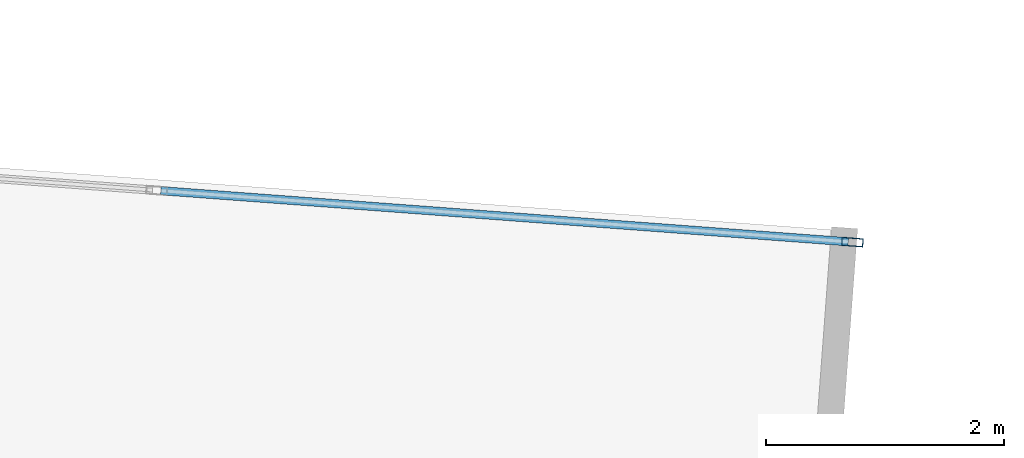
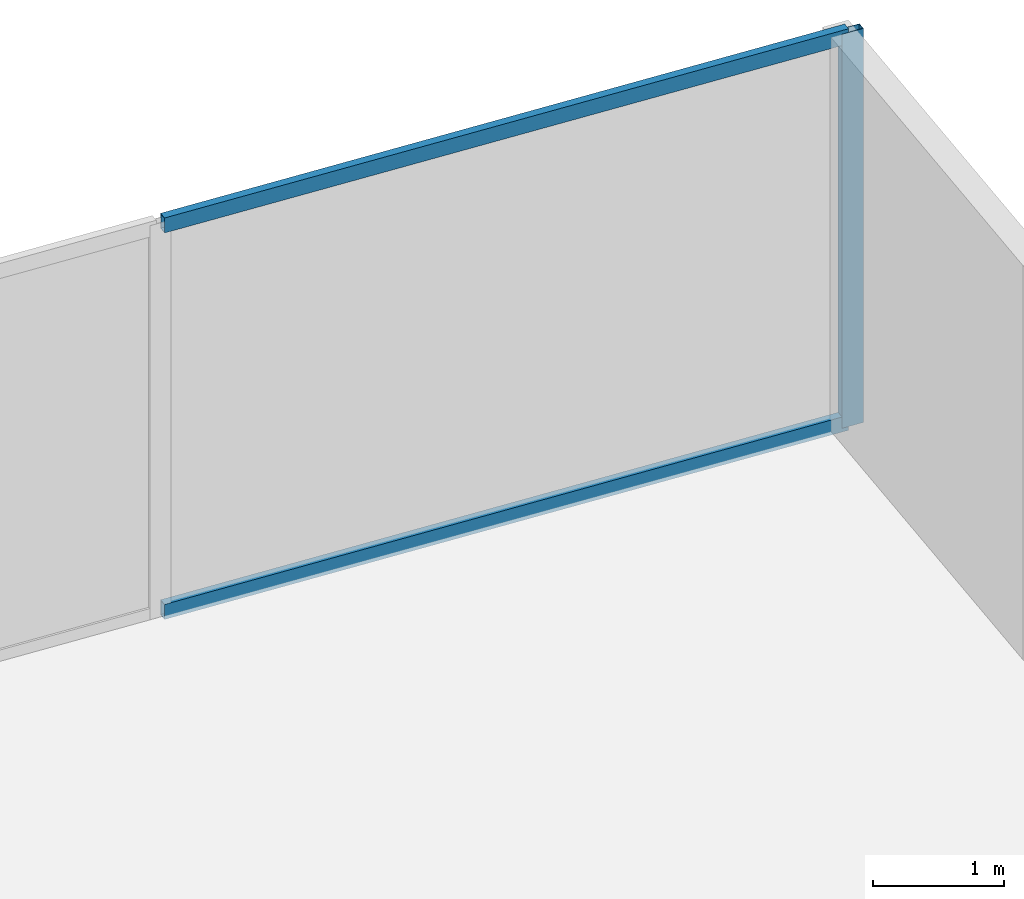
# One storey, part 24 of 30: 3 members, 1 element without a shape of its own.
"""IFC4 building model written with IfcOpenShell, lengths in metres."""

from ifc_helpers import new_model, si_unit, direction, frame, origin, origin_2d, place, context, subcontext, project, spatial, hollow_rectangle, extrude, source, transform, mapped, material, material_profile, profile_set, type_object, type_shapes, element, aggregate, save


model = new_model("IFC4")

# Units and contexts
model_context = context("Model", 3, precision=1e-05, world=origin(), true_north=direction((0.0, 1.0)))
body_context = subcontext(model_context, "Body", "Model", "MODEL_VIEW")
ifc_project = project(units=[si_unit("LENGTHUNIT", "METRE"), si_unit("AREAUNIT", "SQUARE_METRE"), si_unit("VOLUMEUNIT", "CUBIC_METRE"), si_unit("PLANEANGLEUNIT", "RADIAN"), si_unit("MASSUNIT", "GRAM", prefix="KILO")], contexts=[model_context])

# Site, building, storey
site_placement = place(None, origin())
site = spatial("IfcSite", under=ifc_project, at=site_placement, CompositionType="ELEMENT")
building_placement = place(site_placement, origin())
building = spatial("IfcBuilding", under=site, at=building_placement, Name="Krantzveldt Concourse Tower", CompositionType="ELEMENT")
storey_placement = place(building_placement, frame((0.0, 0.0, 52.64990234375)))
storey = spatial("IfcBuildingStorey", under=building, at=storey_placement, Name="L12", CompositionType="ELEMENT", Elevation=52.64990234375)

# Curtain wall, members
ifc_material = material(Name="Anodised aluminium 6063-T6", Category="aluminium")
curtain_wall_type = type_object("IfcCurtainWallType", Name="CW2", PredefinedType="USERDEFINED", material=ifc_material)
curtain_wall_placement = place(storey_placement, origin())
curtain_wall = element("IfcCurtainWall", 1, at=curtain_wall_placement, inside=storey, type_object=curtain_wall_type, Name="CW-L12-F10", ObjectType="UNITISED CURTAIN WALL", PredefinedType="USERDEFINED")
ifc_material_profile_1 = material_profile(ifc_material, hollow_rectangle(XDim=0.070068359375, YDim=0.179931640625, WallThickness=0.0048828125, at=origin_2d()), Name="Anodised aluminium 6063-T6", Category="aluminium")
ifc_profile_set_1 = profile_set([ifc_material_profile_1], Name="Anodised aluminium 6063-T6 - ALU-MULL 180x70x5")
member_type_1 = type_object("IfcMemberType", Name="CW-MUL-180", PredefinedType="MULLION", material=ifc_profile_set_1)
shared_shape_1 = source(origin(), body_context, "Body", "SweptSolid", [
    extrude(hollow_rectangle(XDim=0.070068359375, YDim=0.179931640625, WallThickness=0.0048828125, at=origin_2d()), origin(), (0.0, 0.0, 1.0), 3.670166015625),
])
type_shapes(member_type_1, [shared_shape_1])
member_1_placement = place(storey_placement, frame((59.251953125, 49.95068359375, 0.0), z_axis=(0.0, 0.0, 1.0), x_axis=(-0.074108467464, -0.997250186789, 0.0)))
member_1 = element("IfcMember", 2, at=member_1_placement, type_object=member_type_1, Name="CW-Z12 mullion 1", PredefinedType="MULLION", context=body_context, shape_type="MappedRepresentation", body=[
    mapped(shared_shape_1, transform((0.0, 0.0, 0.0), x_axis=(1.0, 0.0, 0.0), y_axis=(0.0, 1.0, 0.0), z_axis=(0.0, 0.0, 1.0), scale=1.0)),
])
ifc_material_profile_2 = material_profile(ifc_material, hollow_rectangle(XDim=0.070068359375, YDim=0.139892578125, WallThickness=0.0048828125, at=origin_2d()), Name="Anodised aluminium 6063-T6", Category="aluminium")
ifc_profile_set_2 = profile_set([ifc_material_profile_2], Name="Anodised aluminium 6063-T6 - ALU-TRAN 140x70x5")
member_type_2 = type_object("IfcMemberType", Name="CW-TRN-150", PredefinedType="USERDEFINED", material=ifc_profile_set_2)
shared_shape_2 = source(origin(), body_context, "Body", "SweptSolid", [
    extrude(hollow_rectangle(XDim=0.070068359375, YDim=0.139892578125, WallThickness=0.0048828125, at=origin_2d()), origin(), (0.0, 0.0, 1.0), 5.794921875),
])
type_shapes(member_type_2, [shared_shape_2])
member_2_placement = place(storey_placement, frame((59.217041015625, 49.953369140625, 0.03515625), z_axis=(-0.997250369291, 0.074106011558, 0.0), x_axis=(-0.074106011558, -0.997250369291, 0.0)))
member_2 = element("IfcMember", 3, at=member_2_placement, type_object=member_type_2, Name="CW-Z12 transom 1.1", ObjectType="TRANSOM", PredefinedType="USERDEFINED", context=body_context, shape_type="MappedRepresentation", body=[
    mapped(shared_shape_2, transform((0.0, 0.0, 0.0), x_axis=(1.0, 0.0, 0.0), y_axis=(0.0, 1.0, 0.0), z_axis=(0.0, 0.0, 1.0), scale=1.0)),
])
member_3_placement = place(storey_placement, frame((59.217041015625, 49.953369140625, 3.635009765625), z_axis=(-0.997250369291, 0.074106011558, 0.0), x_axis=(-0.074106011558, -0.997250369291, 0.0)))
member_3 = element("IfcMember", 4, at=member_3_placement, type_object=member_type_2, Name="CW-Z12 transom 1.2", ObjectType="TRANSOM", PredefinedType="USERDEFINED", context=body_context, shape_type="MappedRepresentation", body=[
    mapped(shared_shape_2, transform((0.0, 0.0, 0.0), x_axis=(1.0, 0.0, 0.0), y_axis=(0.0, 1.0, 0.0), z_axis=(0.0, 0.0, 1.0), scale=1.0)),
])
aggregate(curtain_wall, [member_1, member_2, member_3])

save(model, "model.ifc")
